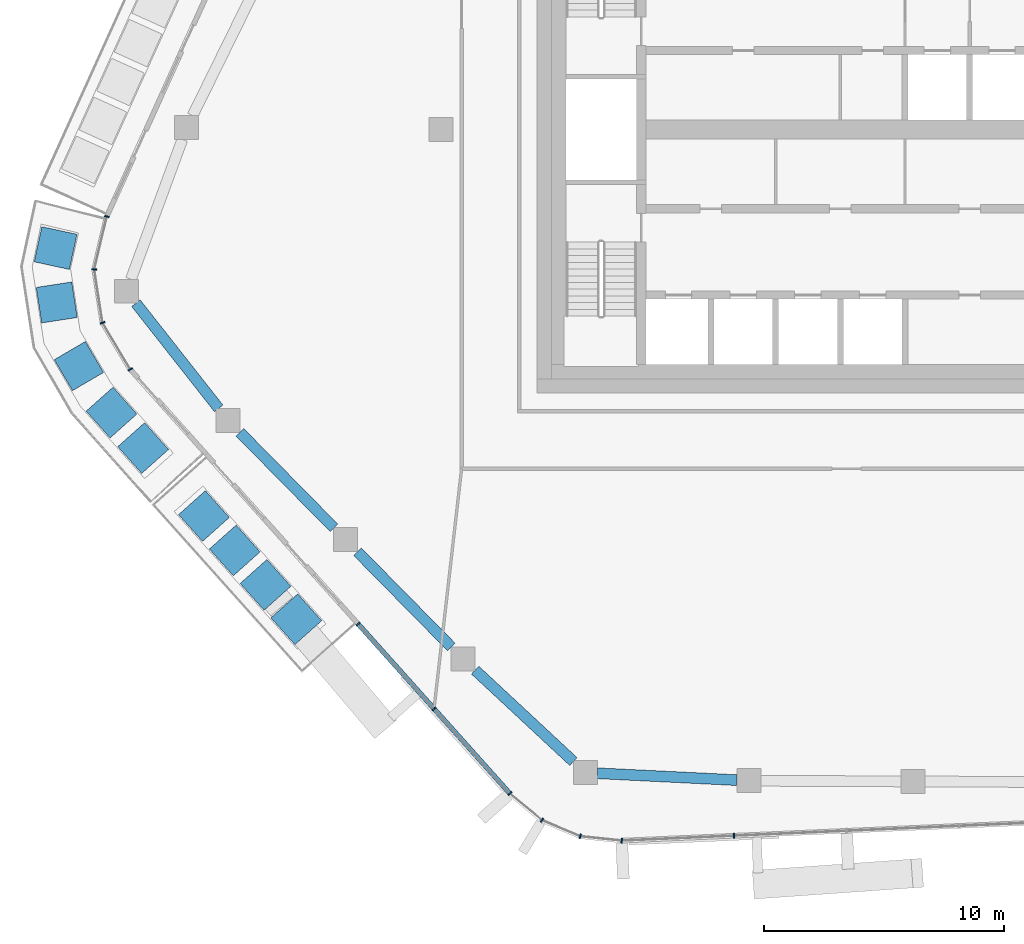
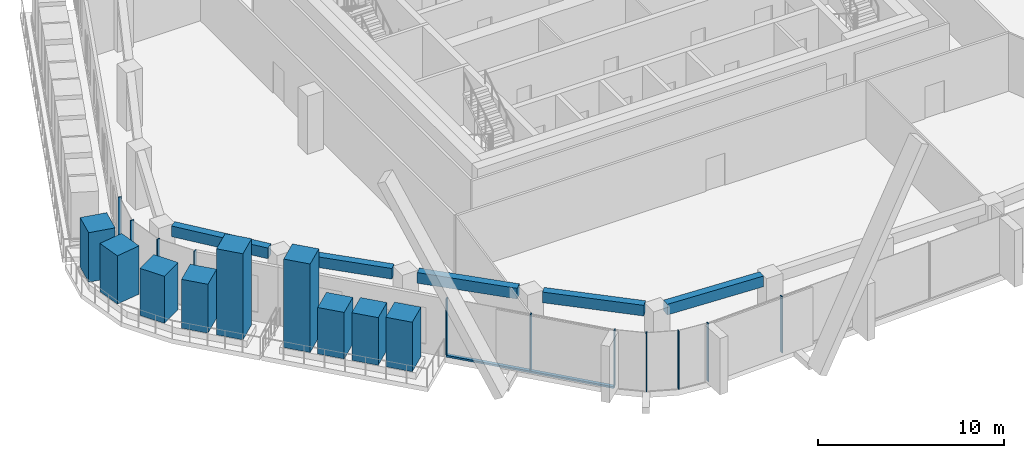
# One storey, part 2 of 23: 21 members, 5 beams, 4 elements without a shape of their own.
"""IFC4 building model written with IfcOpenShell, lengths in metres."""

from ifc_helpers import new_model, si_unit, direction, frame, origin, origin_2d, place, context, subcontext, project, spatial, rectangle, extrude, material, layer, layer_set, material_profile, profile_set, type_object, element, aggregate, save


model = new_model("IFC4")

# Units and contexts
model_context = context("Model", 3, precision=1e-05, world=origin(), true_north=direction((0.0, 1.0)))
body_context = subcontext(model_context, "Body", "Model", "MODEL_VIEW")
ifc_project = project(units=[si_unit("LENGTHUNIT", "METRE"), si_unit("AREAUNIT", "SQUARE_METRE"), si_unit("VOLUMEUNIT", "CUBIC_METRE"), si_unit("PLANEANGLEUNIT", "RADIAN"), si_unit("MASSUNIT", "GRAM", prefix="KILO")], contexts=[model_context])

# Site, building, storey
site_placement = place(None, origin())
site = spatial("IfcSite", under=ifc_project, at=site_placement, CompositionType="ELEMENT")
building_placement = place(site_placement, origin())
building = spatial("IfcBuilding", under=site, at=building_placement, Name="Dongbaek Canopy Tower", CompositionType="ELEMENT")
storey_placement = place(building_placement, frame((0.0, 0.0, 327.800048828125)))
storey = spatial("IfcBuildingStorey", under=building, at=storey_placement, Name="L70", CompositionType="ELEMENT", Elevation=327.800048828125)

# Curtain wall, members
ifc_material_1 = material(Name="Aluminium 6063-T6 pale anodised", Category="aluminium")
ifc_layer = layer(ifc_material_1, 0.199951171875)
ifc_layer_set = layer_set([ifc_layer], Name="CW-1 unitised tower curtain wall")
curtain_wall_type = type_object("IfcCurtainWallType", Name="CW-1 unitised tower curtain wall", PredefinedType="NOTDEFINED", material=ifc_layer_set)
curtain_wall_1_placement = place(storey_placement, origin())
curtain_wall_1 = element("IfcCurtainWall", 1, at=curtain_wall_1_placement, inside=storey, type_object=curtain_wall_type, Name="CW-1 curtain wall K3.1", PredefinedType="NOTDEFINED")
ifc_material_2 = material(Name="Aluminium 6063-T6 pale anodised", Category="aluminium")
ifc_material_profile_1 = material_profile(ifc_material_2, rectangle(XDim=0.199951171875, YDim=0.06005859375, at=origin_2d()), Name="CW-1 mullion 60 x 200")
ifc_profile_set_1 = profile_set([ifc_material_profile_1], Name="Aluminium 6063-T6 pale anodised")
member_type_1 = type_object("IfcMemberType", Name="CW-1 mullion 60 x 200", PredefinedType="MULLION", material=ifc_profile_set_1)
member_1_placement = place(storey_placement, frame((-31.9521484375, -3.625244140625, 0.0), z_axis=(0.0, 0.0, 1.0), x_axis=(-0.973135778098, 0.2302319643, 0.0)))
member_1 = element("IfcMember", 2, at=member_1_placement, type_object=member_type_1, Name="CW-1 mullion K3.1.1", PredefinedType="MULLION", context=body_context, shape_type="SweptSolid", body=[
    extrude(rectangle(XDim=0.199951171875, YDim=0.06005859375, at=origin_2d()), origin(), (0.0, 0.0, 1.0), 3.820068359375),
])
member_2_placement = place(storey_placement, frame((-32.473876953125, -5.83056640625, 0.0), z_axis=(0.0, 0.0, 1.0), x_axis=(-0.999206093675, 0.039839457356, 0.0)))
member_2 = element("IfcMember", 3, at=member_2_placement, type_object=member_type_1, Name="CW-1 mullion K3.1.2", PredefinedType="MULLION", context=body_context, shape_type="SweptSolid", body=[
    extrude(rectangle(XDim=0.199951171875, YDim=0.06005859375, at=origin_2d()), origin(), (0.0, 0.0, 1.0), 3.820068359375),
])
member_3_placement = place(storey_placement, frame((-32.130859375, -8.060791015625, 0.0), z_axis=(0.0, 0.0, 1.0), x_axis=(-0.941047691225, -0.338273916878, 0.0)))
member_3 = element("IfcMember", 4, at=member_3_placement, type_object=member_type_1, Name="CW-1 mullion K3.1.3", PredefinedType="MULLION", context=body_context, shape_type="SweptSolid", body=[
    extrude(rectangle(XDim=0.199951171875, YDim=0.06005859375, at=origin_2d()), origin(), (0.0, 0.0, 1.0), 3.820068359375),
])
member_4_placement = place(storey_placement, frame((-30.970458984375, -10.00732421875, 0.0), z_axis=(0.0, 0.0, 1.0), x_axis=(-0.858966702987, -0.512031447433, 0.0)))
member_4 = element("IfcMember", 5, at=member_4_placement, type_object=member_type_1, Name="CW-1 mullion K3.1.4", PredefinedType="MULLION", context=body_context, shape_type="SweptSolid", body=[
    extrude(rectangle(XDim=0.199951171875, YDim=0.06005859375, at=origin_2d()), origin(), (0.0, 0.0, 1.0), 3.820068359375),
])
aggregate(curtain_wall_1, [member_1, member_2, member_3, member_4])

curtain_wall_2_placement = place(storey_placement, origin())
curtain_wall_2 = element("IfcCurtainWall", 6, at=curtain_wall_2_placement, inside=storey, type_object=curtain_wall_type, Name="CW-1 curtain wall F3.1", PredefinedType="NOTDEFINED")
member_5_placement = place(storey_placement, frame((-21.468017578125, -20.625244140625, 0.119873046875), z_axis=(0.0, 0.0, 1.0), x_axis=(-0.745164960814, -0.666880185022, 0.0)))
member_5 = element("IfcMember", 7, at=member_5_placement, type_object=member_type_1, Name="CW-1 mullion F3.1.1", PredefinedType="MULLION", context=body_context, shape_type="SweptSolid", body=[
    extrude(rectangle(XDim=0.199951171875, YDim=0.06005859375, at=origin_2d()), origin(), (0.0, 0.0, 1.0), 3.7001953125),
])
member_6_placement = place(storey_placement, frame((-18.29833984375, -24.1669921875, 0.119873046875), z_axis=(0.0, 0.0, 1.0), x_axis=(-0.745164960814, -0.666880185022, 0.0)))
member_6 = element("IfcMember", 8, at=member_6_placement, type_object=member_type_1, Name="CW-1 mullion F3.1.2", PredefinedType="MULLION", context=body_context, shape_type="SweptSolid", body=[
    extrude(rectangle(XDim=0.199951171875, YDim=0.06005859375, at=origin_2d()), origin(), (0.0, 0.0, 1.0), 3.7001953125),
])
member_7_placement = place(storey_placement, frame((-15.1337890625, -27.703125, 0.119873046875), z_axis=(0.0, 0.0, 1.0), x_axis=(-0.745164960814, -0.666880185022, 0.0)))
member_7 = element("IfcMember", 9, at=member_7_placement, type_object=member_type_1, Name="CW-1 mullion F3.1.3", PredefinedType="MULLION", context=body_context, shape_type="SweptSolid", body=[
    extrude(rectangle(XDim=0.199951171875, YDim=0.06005859375, at=origin_2d()), origin(), (0.0, 0.0, 1.0), 3.7001953125),
])

curtain_wall_3_placement = place(storey_placement, origin())
curtain_wall_3 = element("IfcCurtainWall", 10, at=curtain_wall_3_placement, inside=storey, type_object=curtain_wall_type, Name="CW-1 curtain wall K4.1", PredefinedType="NOTDEFINED")
member_8_placement = place(storey_placement, frame((-13.79541015625, -28.8154296875, 0.0), z_axis=(0.0, 0.0, 1.0), x_axis=(-0.519266943257, -0.854612100102, 0.0)))
member_8 = element("IfcMember", 11, at=member_8_placement, type_object=member_type_1, Name="CW-1 mullion K4.1.2", PredefinedType="MULLION", context=body_context, shape_type="SweptSolid", body=[
    extrude(rectangle(XDim=0.199951171875, YDim=0.06005859375, at=origin_2d()), origin(), (0.0, 0.0, 1.0), 3.820068359375),
])
member_9_placement = place(storey_placement, frame((-12.198486328125, -29.48779296875, 0.0), z_axis=(0.0, 0.0, 1.0), x_axis=(-0.248570111979, -0.968613906276, 0.0)))
member_9 = element("IfcMember", 12, at=member_9_placement, type_object=member_type_1, Name="CW-1 mullion K4.1.3", PredefinedType="MULLION", context=body_context, shape_type="SweptSolid", body=[
    extrude(rectangle(XDim=0.199951171875, YDim=0.06005859375, at=origin_2d()), origin(), (0.0, 0.0, 1.0), 3.820068359375),
])
member_10_placement = place(storey_placement, frame((-10.4677734375, -29.668212890625, 0.0), z_axis=(0.0, 0.0, 1.0), x_axis=(-0.103622803641, -0.994616667146, 0.0)))
member_10 = element("IfcMember", 13, at=member_10_placement, type_object=member_type_1, Name="CW-1 mullion K4.1.4", PredefinedType="MULLION", context=body_context, shape_type="SweptSolid", body=[
    extrude(rectangle(XDim=0.199951171875, YDim=0.06005859375, at=origin_2d()), origin(), (0.0, 0.0, 1.0), 3.820068359375),
])
aggregate(curtain_wall_3, [member_8, member_9, member_10])

# Curtain wall, member
curtain_wall_4_placement = place(storey_placement, origin())
curtain_wall_4 = element("IfcCurtainWall", 14, at=curtain_wall_4_placement, inside=storey, type_object=curtain_wall_type, Name="CW-1 curtain wall F4.1", PredefinedType="NOTDEFINED")
member_11_placement = place(storey_placement, frame((-5.780517578125, -29.4638671875, 0.119873046875), z_axis=(0.0, 0.0, 1.0), x_axis=(0.04357165489, -0.999050304484, 0.0)))
member_11 = element("IfcMember", 15, at=member_11_placement, type_object=member_type_1, Name="CW-1 mullion F4.1.2", PredefinedType="MULLION", context=body_context, shape_type="SweptSolid", body=[
    extrude(rectangle(XDim=0.199951171875, YDim=0.06005859375, at=origin_2d()), origin(), (0.0, 0.0, 1.0), 3.7001953125),
])
aggregate(curtain_wall_4, [member_11])

# Member
ifc_material_3 = material(Name="Aluminium 6063-T6 pale anodised", Category="aluminium")
ifc_material_profile_2 = material_profile(ifc_material_3, rectangle(XDim=0.199951171875, YDim=0.1201171875, at=origin_2d()), Name="CW-1 transom 120 x 200")
ifc_profile_set_2 = profile_set([ifc_material_profile_2], Name="Aluminium 6063-T6 pale anodised")
member_type_2 = type_object("IfcMemberType", Name="CW-1 transom 120 x 200", PredefinedType="USERDEFINED", material=ifc_profile_set_2)
member_12_placement = place(storey_placement, frame((-21.468017578125, -20.625244140625, 0.06005859375), z_axis=(0.66687599933, -0.745168706748, 0.0), x_axis=(0.745168706748, 0.66687599933, 0.0)))
member_12 = element("IfcMember", 16, at=member_12_placement, type_object=member_type_2, Name="CW-1 transom F3.1.1", ObjectType="TRANSOM", PredefinedType="USERDEFINED", context=body_context, shape_type="SweptSolid", body=[
    extrude(rectangle(XDim=0.199951171875, YDim=0.1201171875, at=origin_2d()), origin(), (0.0, 0.0, 1.0), 9.498291015625),
])

aggregate(curtain_wall_2, [member_5, member_6, member_7, member_12])

# Beams
ifc_material_4 = material(Name="Concrete C60", Category="concrete")
ifc_material_profile_3 = material_profile(ifc_material_4, rectangle(XDim=0.449951171875, YDim=0.699951171875, at=origin_2d()), Name="RC EDGE BEAM 450x700 C60")
ifc_profile_set_3 = profile_set([ifc_material_profile_3], Name="Concrete C60")
beam_type = type_object("IfcBeamType", Name="RC EDGE BEAM 450x700 C60", PredefinedType="BEAM", material=ifc_profile_set_3)
beam_1_placement = place(storey_placement, frame((-5.666015625, -27.142333984375, 3.469970703125), z_axis=(-0.998789160621, 0.049195656579, 0.0), x_axis=(-0.049195656579, -0.998789160621, 0.0)))
element("IfcBeam", 17, at=beam_1_placement, inside=storey, type_object=beam_type, Name="EDGEBEAM:L70:03", PredefinedType="BEAM", context=body_context, shape_type="SweptSolid", body=[
    extrude(rectangle(XDim=0.449951171875, YDim=0.699951171875, at=origin_2d()), origin(), (0.0, 0.0, 1.0), 5.826171875),
])
beam_2_placement = place(storey_placement, frame((-12.485107421875, -26.365966796875, 3.469970703125), z_axis=(-0.732266655485, 0.681018021248, 0.0), x_axis=(-0.681018021248, -0.732266655485, 0.0)))
element("IfcBeam", 18, at=beam_2_placement, inside=storey, type_object=beam_type, Name="EDGEBEAM:L70:04", PredefinedType="BEAM", context=body_context, shape_type="SweptSolid", body=[
    extrude(rectangle(XDim=0.449951171875, YDim=0.699951171875, at=origin_2d()), origin(), (0.0, 0.0, 1.0), 5.597412109375),
])
beam_3_placement = place(storey_placement, frame((-17.576416015625, -21.589111328125, 3.469970703125), z_axis=(-0.701706740597, 0.712465894062, 0.0), x_axis=(-0.712465894062, -0.701706740597, 0.0)))
element("IfcBeam", 19, at=beam_3_placement, inside=storey, type_object=beam_type, Name="EDGEBEAM:L70:05", PredefinedType="BEAM", context=body_context, shape_type="SweptSolid", body=[
    extrude(rectangle(XDim=0.449951171875, YDim=0.699951171875, at=origin_2d()), origin(), (0.0, 0.0, 1.0), 5.58203125),
])
beam_4_placement = place(storey_placement, frame((-22.478515625, -16.612060546875, 3.469970703125), z_axis=(-0.701708081315, 0.712464573588, 0.0), x_axis=(-0.712464573588, -0.701708081315, 0.0)))
element("IfcBeam", 20, at=beam_4_placement, inside=storey, type_object=beam_type, Name="EDGEBEAM:L70:06", PredefinedType="BEAM", context=body_context, shape_type="SweptSolid", body=[
    extrude(rectangle(XDim=0.449951171875, YDim=0.699951171875, at=origin_2d()), origin(), (0.0, 0.0, 1.0), 5.58349609375),
])
beam_5_placement = place(storey_placement, frame((-27.282470703125, -11.634033203125, 3.469970703125), z_axis=(-0.618340786972, 0.78591009102, 0.0), x_axis=(-0.78591009102, -0.618340786972, 0.0)))
element("IfcBeam", 21, at=beam_5_placement, inside=storey, type_object=beam_type, Name="EDGEBEAM:L70:07", PredefinedType="BEAM", context=body_context, shape_type="SweptSolid", body=[
    extrude(rectangle(XDim=0.449951171875, YDim=0.699951171875, at=origin_2d()), origin(), (0.0, 0.0, 1.0), 5.58447265625),
])

# Members
ifc_material_5 = material(Name="Concrete C40/50 planter mass with planting", Category="concrete")
ifc_material_profile_4 = material_profile(ifc_material_5, rectangle(XDim=1.5, YDim=1.5, at=origin_2d()), Name="Terrace PLANTER shrub mass 1500 x 1500")
ifc_profile_set_4 = profile_set([ifc_material_profile_4], Name="Concrete C40/50 planter mass with planting")
member_type_3 = type_object("IfcMemberType", Name="Terrace PLANTER shrub mass 1500 x 1500", PredefinedType="USERDEFINED", material=ifc_profile_set_4)
member_13_placement = place(storey_placement, frame((-27.8984375, -16.1240234375, 0.419921875), z_axis=(0.0, 0.0, 1.0), x_axis=(-0.745164960814, -0.666880185022, 0.0)))
element("IfcMember", 22, at=member_13_placement, inside=storey, type_object=member_type_3, Name="Planter tree L70 3.1", ObjectType="PLANTER", PredefinedType="USERDEFINED", context=body_context, shape_type="SweptSolid", body=[
    extrude(rectangle(XDim=1.5, YDim=1.5, at=origin_2d()), origin(), (0.0, 0.0, 1.0), 5.81005859375),
])
member_14_placement = place(storey_placement, frame((-26.61376953125, -17.5595703125, 0.419921875), z_axis=(0.0, 0.0, 1.0), x_axis=(-0.745164960814, -0.666880185022, 0.0)))
element("IfcMember", 23, at=member_14_placement, inside=storey, type_object=member_type_3, Name="Planter shrubs L70 3.2", ObjectType="PLANTER", PredefinedType="USERDEFINED", context=body_context, shape_type="SweptSolid", body=[
    extrude(rectangle(XDim=1.5, YDim=1.5, at=origin_2d()), origin(), (0.0, 0.0, 1.0), 3.050048828125),
])
member_15_placement = place(storey_placement, frame((-25.3291015625, -18.9951171875, 0.419921875), z_axis=(0.0, 0.0, 1.0), x_axis=(-0.745164960814, -0.666880185022, 0.0)))
element("IfcMember", 24, at=member_15_placement, inside=storey, type_object=member_type_3, Name="Planter shrubs L70 3.3", ObjectType="PLANTER", PredefinedType="USERDEFINED", context=body_context, shape_type="SweptSolid", body=[
    extrude(rectangle(XDim=1.5, YDim=1.5, at=origin_2d()), origin(), (0.0, 0.0, 1.0), 3.130126953125),
])
for number, where, z_axis, x_axis, name in (
    (25, (-24.04443359375, -20.4306640625, 0.419921875), (0.0, 0.0, 1.0), (-0.745164960814, -0.666880185022, 0.0), "Planter shrubs L70 3.4"),
    (26, (-34.08740234375, -4.94384765625, 0.419921875), (0.0, 0.0, 1.0), (-0.977270479561, 0.211996249443, 0.0), "Planter shrubs L70 6.1"),
):
    element("IfcMember", number, at=place(storey_placement, frame(where, z_axis=z_axis, x_axis=x_axis)), inside=storey, type_object=member_type_3, Name=name, ObjectType="PLANTER", PredefinedType="USERDEFINED", context=body_context, shape_type="SweptSolid", body=[
        extrude(rectangle(XDim=1.5, YDim=1.5, at=origin_2d()), origin(), (0.0, 0.0, 1.0), 3.25),
    ])
member_16_placement = place(storey_placement, frame((-34.040771484375, -7.213134765625, 0.419921875), z_axis=(0.0, 0.0, 1.0), x_axis=(-0.988376759336, -0.152024279653, 0.0)))
element("IfcMember", 27, at=member_16_placement, inside=storey, type_object=member_type_3, Name="Planter shrubs L70 6.2", ObjectType="PLANTER", PredefinedType="USERDEFINED", context=body_context, shape_type="SweptSolid", body=[
    extrude(rectangle(XDim=1.5, YDim=1.5, at=origin_2d()), origin(), (0.0, 0.0, 1.0), 3.169921875),
])
member_17_placement = place(storey_placement, frame((-33.115234375, -9.867431640625, 0.419921875), z_axis=(0.0, 0.0, 1.0), x_axis=(-0.863241885655, -0.50479049798, 0.0)))
element("IfcMember", 28, at=member_17_placement, inside=storey, type_object=member_type_3, Name="Planter shrubs L70 6.3", ObjectType="PLANTER", PredefinedType="USERDEFINED", context=body_context, shape_type="SweptSolid", body=[
    extrude(rectangle(XDim=1.5, YDim=1.5, at=origin_2d()), origin(), (0.0, 0.0, 1.0), 3.090087890625),
])
member_18_placement = place(storey_placement, frame((-31.753662109375, -11.8076171875, 0.419921875), z_axis=(0.0, 0.0, 1.0), x_axis=(-0.746478558411, -0.665409469299, 0.0)))
element("IfcMember", 29, at=member_18_placement, inside=storey, type_object=member_type_3, Name="Planter shrubs L70 6.4", ObjectType="PLANTER", PredefinedType="USERDEFINED", context=body_context, shape_type="SweptSolid", body=[
    extrude(rectangle(XDim=1.5, YDim=1.5, at=origin_2d()), origin(), (0.0, 0.0, 1.0), 3.2099609375),
])
member_19_placement = place(storey_placement, frame((-30.434326171875, -13.28759765625, 0.419921875), z_axis=(0.0, 0.0, 1.0), x_axis=(-0.746478558411, -0.665409469299, 0.0)))
element("IfcMember", 30, at=member_19_placement, inside=storey, type_object=member_type_3, Name="Planter tree L70 6.5", ObjectType="PLANTER", PredefinedType="USERDEFINED", context=body_context, shape_type="SweptSolid", body=[
    extrude(rectangle(XDim=1.5, YDim=1.5, at=origin_2d()), origin(), (0.0, 0.0, 1.0), 5.650146484375),
])

save(model, "model.ifc")
